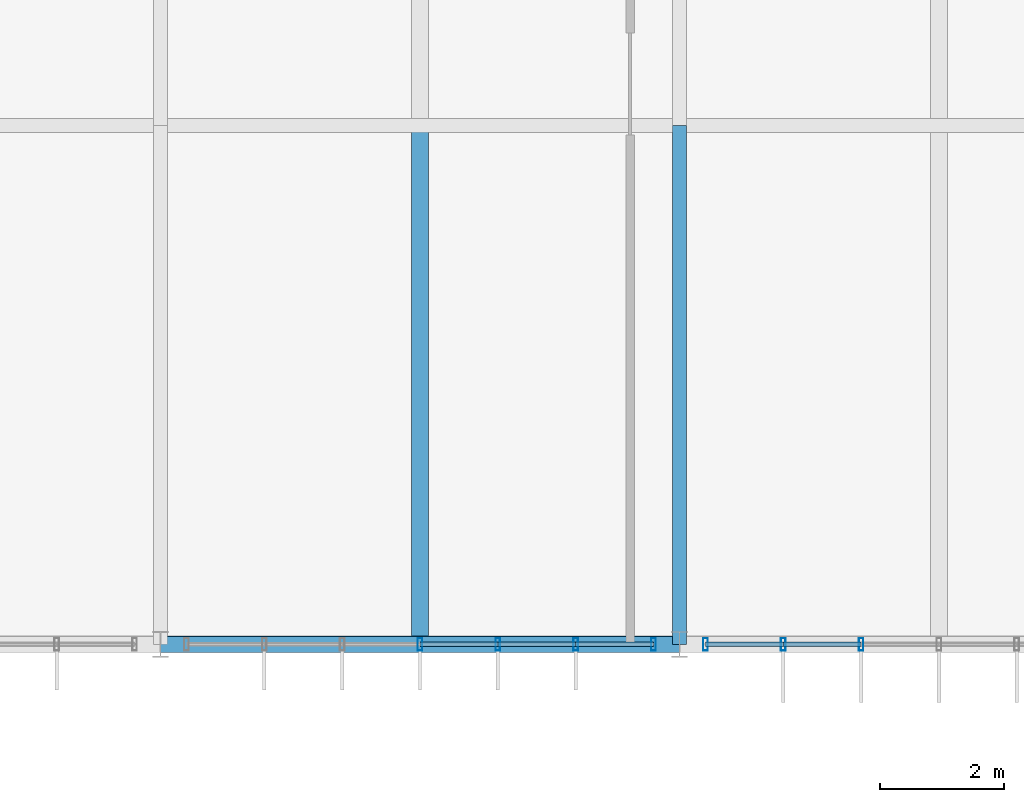
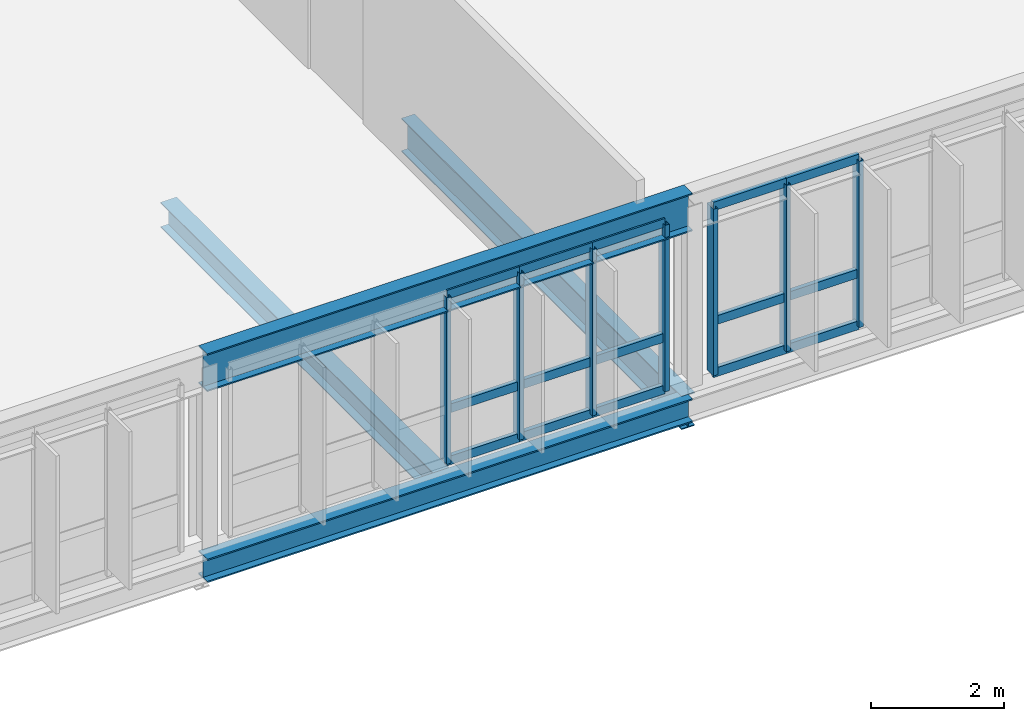
# One storey, part 15 of 107: 22 members, 4 beams, 2 elements without a shape of their own.
"""IFC4 building model written with IfcOpenShell, lengths in metres."""

from ifc_helpers import new_model, si_unit, derived_unit, direction, frame, origin, origin_2d, place, context, subcontext, project, spatial, hollow_rectangle, i_section, extrude, material, layer, layer_set, material_profile, profile_set, type_object, element, aggregate, save


model = new_model("IFC4")

# Units and contexts
model_context = context("Model", 3, precision=1e-05, world=origin(), true_north=direction((0.0, 1.0)))
body_context = subcontext(model_context, "Body", "Model", "MODEL_VIEW")
ifc_project = project(units=[si_unit("LENGTHUNIT", "METRE"), si_unit("AREAUNIT", "SQUARE_METRE"), si_unit("VOLUMEUNIT", "CUBIC_METRE"), si_unit("PLANEANGLEUNIT", "RADIAN"), si_unit("MASSUNIT", "GRAM", prefix="KILO"), derived_unit("THERMALTRANSMITTANCEUNIT", [(si_unit("MASSUNIT", "GRAM", prefix="KILO"), 1), (si_unit("TIMEUNIT", "SECOND"), -3), (si_unit("THERMODYNAMICTEMPERATUREUNIT", "KELVIN"), -1)])], contexts=[model_context])

# Site, building, storey
site_placement = place(None, origin())
site = spatial("IfcSite", under=ifc_project, at=site_placement, CompositionType="ELEMENT")
building_placement = place(site_placement, origin())
building = spatial("IfcBuilding", under=site, at=building_placement, Name="Makaiwela Harbour Ferry Terminal", CompositionType="ELEMENT")
storey_placement = place(building_placement, frame((0.0, 0.0, 9.60009765625)))
storey = spatial("IfcBuildingStorey", under=building, at=storey_placement, Name="L02", CompositionType="ELEMENT", Elevation=9.60009765625)

# Curtain wall, members
ifc_material_1 = material(Name="Marine anodised aluminium 6063-T6", Category="aluminium")
ifc_layer = layer(ifc_material_1, 0.199951171875)
ifc_layer_set = layer_set([ifc_layer], Name="Marine anodised aluminium 6063-T6")
curtain_wall_type = type_object("IfcCurtainWallType", Name="ENV-CW-11", PredefinedType="USERDEFINED", material=ifc_layer_set)
curtain_wall_1_placement = place(storey_placement, origin())
curtain_wall_1 = element("IfcCurtainWall", 1, at=curtain_wall_1_placement, inside=storey, type_object=curtain_wall_type, Name="Unitised Curtain Wall CWA-105", ObjectType="UNITIZED CURTAIN WALL", PredefinedType="USERDEFINED")
ifc_material_profile_1 = material_profile(ifc_material_1, hollow_rectangle(XDim=0.074951171875, YDim=0.199951171875, WallThickness=0.00390625, at=origin_2d()), Name="CWM-200X75")
ifc_profile_set_1 = profile_set([ifc_material_profile_1], Name="Marine anodised aluminium 6063-T6")
member_type_1 = type_object("IfcMemberType", Name="CW-MUL-200", PredefinedType="MULLION", material=ifc_profile_set_1)
member_1_placement = place(storey_placement, frame((54.179931640625, 25.199951171875, 0.0), z_axis=(0.0, 0.0, 1.0), x_axis=(1.0, 0.0, 0.0)))
member_1 = element("IfcMember", 2, at=member_1_placement, type_object=member_type_1, Name="Curtain Wall Mullion CWA-105-1", PredefinedType="MULLION", context=body_context, shape_type="SweptSolid", body=[
    extrude(hollow_rectangle(XDim=0.074951171875, YDim=0.199951171875, WallThickness=0.00390625, at=origin_2d()), origin(), (0.0, 0.0, 1.0), 3.0498046875),
])
member_2_placement = place(storey_placement, frame((52.919921875, 25.199951171875, 0.0), z_axis=(0.0, 0.0, 1.0), x_axis=(1.0, 0.0, 0.0)))
member_2 = element("IfcMember", 3, at=member_2_placement, type_object=member_type_1, Name="Curtain Wall Mullion CWA-105-2", PredefinedType="MULLION", context=body_context, shape_type="SweptSolid", body=[
    extrude(hollow_rectangle(XDim=0.074951171875, YDim=0.199951171875, WallThickness=0.00390625, at=origin_2d()), origin(), (0.0, 0.0, 1.0), 3.0498046875),
])
member_3_placement = place(storey_placement, frame((51.659912109375, 25.199951171875, 0.0), z_axis=(0.0, 0.0, 1.0), x_axis=(1.0, 0.0, 0.0)))
member_3 = element("IfcMember", 4, at=member_3_placement, type_object=member_type_1, Name="Curtain Wall Mullion CWA-105-3", PredefinedType="MULLION", context=body_context, shape_type="SweptSolid", body=[
    extrude(hollow_rectangle(XDim=0.074951171875, YDim=0.199951171875, WallThickness=0.00390625, at=origin_2d()), origin(), (0.0, 0.0, 1.0), 3.0498046875),
])
member_4_placement = place(storey_placement, frame((50.39990234375, 25.199951171875, 0.0), z_axis=(0.0, 0.0, 1.0), x_axis=(1.0, 0.0, 0.0)))
member_4 = element("IfcMember", 5, at=member_4_placement, type_object=member_type_1, Name="Curtain Wall Mullion CWA-105-4", PredefinedType="MULLION", context=body_context, shape_type="SweptSolid", body=[
    extrude(hollow_rectangle(XDim=0.074951171875, YDim=0.199951171875, WallThickness=0.00390625, at=origin_2d()), origin(), (0.0, 0.0, 1.0), 3.0498046875),
])

curtain_wall_2_placement = place(storey_placement, origin())
curtain_wall_2 = element("IfcCurtainWall", 6, at=curtain_wall_2_placement, inside=storey, type_object=curtain_wall_type, Name="Unitised Curtain Wall CWA-107", ObjectType="UNITIZED CURTAIN WALL", PredefinedType="USERDEFINED")
member_5_placement = place(storey_placement, frame((57.5400390625, 25.199951171875, 0.0), z_axis=(0.0, 0.0, 1.0), x_axis=(1.0, 0.0, 0.0)))
member_5 = element("IfcMember", 7, at=member_5_placement, type_object=member_type_1, Name="Curtain Wall Mullion CWA-107-5", PredefinedType="MULLION", context=body_context, shape_type="SweptSolid", body=[
    extrude(hollow_rectangle(XDim=0.074951171875, YDim=0.199951171875, WallThickness=0.00390625, at=origin_2d()), origin(), (0.0, 0.0, 1.0), 3.0498046875),
])
member_6_placement = place(storey_placement, frame((56.280029296875, 25.199951171875, 0.0), z_axis=(0.0, 0.0, 1.0), x_axis=(1.0, 0.0, 0.0)))
member_6 = element("IfcMember", 8, at=member_6_placement, type_object=member_type_1, Name="Curtain Wall Mullion CWA-107-6", PredefinedType="MULLION", context=body_context, shape_type="SweptSolid", body=[
    extrude(hollow_rectangle(XDim=0.074951171875, YDim=0.199951171875, WallThickness=0.00390625, at=origin_2d()), origin(), (0.0, 0.0, 1.0), 3.0498046875),
])
member_7_placement = place(storey_placement, frame((55.02001953125, 25.199951171875, 0.0), z_axis=(0.0, 0.0, 1.0), x_axis=(1.0, 0.0, 0.0)))
member_7 = element("IfcMember", 9, at=member_7_placement, type_object=member_type_1, Name="Curtain Wall Mullion CWA-107-7", PredefinedType="MULLION", context=body_context, shape_type="SweptSolid", body=[
    extrude(hollow_rectangle(XDim=0.074951171875, YDim=0.199951171875, WallThickness=0.00390625, at=origin_2d()), origin(), (0.0, 0.0, 1.0), 3.0498046875),
])

# Member
ifc_material_profile_2 = material_profile(ifc_material_1, hollow_rectangle(XDim=0.074951171875, YDim=0.159912109375, WallThickness=0.00390625, at=origin_2d()), Name="CWT-160X75")
ifc_profile_set_2 = profile_set([ifc_material_profile_2], Name="Marine anodised aluminium 6063-T6")
member_type_2 = type_object("IfcMemberType", Name="CW-TRN-160", PredefinedType="USERDEFINED", material=ifc_profile_set_2)
member_8_placement = place(storey_placement, frame((54.179931640625, 25.199951171875, 0.0), z_axis=(-1.0, 0.0, 0.0), x_axis=(0.0, -1.0, 0.0)))
member_8 = element("IfcMember", 10, at=member_8_placement, type_object=member_type_2, Name="Curtain Wall Transom CWA-105-1-1", ObjectType="TRANSOM", PredefinedType="USERDEFINED", context=body_context, shape_type="SweptSolid", body=[
    extrude(hollow_rectangle(XDim=0.074951171875, YDim=0.159912109375, WallThickness=0.00390625, at=origin_2d()), origin(), (0.0, 0.0, 1.0), 1.260009765625),
])

member_9_placement = place(storey_placement, frame((54.179931640625, 25.199951171875, 0.949951171875), z_axis=(-1.0, 0.0, 0.0), x_axis=(0.0, -1.0, 0.0)))
member_9 = element("IfcMember", 11, at=member_9_placement, type_object=member_type_2, Name="Curtain Wall Transom CWA-105-1-2", ObjectType="TRANSOM", PredefinedType="USERDEFINED", context=body_context, shape_type="SweptSolid", body=[
    extrude(hollow_rectangle(XDim=0.074951171875, YDim=0.159912109375, WallThickness=0.00390625, at=origin_2d()), origin(), (0.0, 0.0, 1.0), 1.260009765625),
])

member_10_placement = place(storey_placement, frame((54.179931640625, 25.199951171875, 3.0498046875), z_axis=(-1.0, 0.0, 0.0), x_axis=(0.0, -1.0, 0.0)))
member_10 = element("IfcMember", 12, at=member_10_placement, type_object=member_type_2, Name="Curtain Wall Transom CWA-105-1-3", ObjectType="TRANSOM", PredefinedType="USERDEFINED", context=body_context, shape_type="SweptSolid", body=[
    extrude(hollow_rectangle(XDim=0.074951171875, YDim=0.159912109375, WallThickness=0.00390625, at=origin_2d()), origin(), (0.0, 0.0, 1.0), 1.260009765625),
])

member_11_placement = place(storey_placement, frame((52.919921875, 25.199951171875, 0.0), z_axis=(-1.0, 0.0, 0.0), x_axis=(0.0, -1.0, 0.0)))
member_11 = element("IfcMember", 13, at=member_11_placement, type_object=member_type_2, Name="Curtain Wall Transom CWA-105-2-1", ObjectType="TRANSOM", PredefinedType="USERDEFINED", context=body_context, shape_type="SweptSolid", body=[
    extrude(hollow_rectangle(XDim=0.074951171875, YDim=0.159912109375, WallThickness=0.00390625, at=origin_2d()), origin(), (0.0, 0.0, 1.0), 1.260009765625),
])

member_12_placement = place(storey_placement, frame((52.919921875, 25.199951171875, 0.949951171875), z_axis=(-1.0, 0.0, 0.0), x_axis=(0.0, -1.0, 0.0)))
member_12 = element("IfcMember", 14, at=member_12_placement, type_object=member_type_2, Name="Curtain Wall Transom CWA-105-2-2", ObjectType="TRANSOM", PredefinedType="USERDEFINED", context=body_context, shape_type="SweptSolid", body=[
    extrude(hollow_rectangle(XDim=0.074951171875, YDim=0.159912109375, WallThickness=0.00390625, at=origin_2d()), origin(), (0.0, 0.0, 1.0), 1.260009765625),
])

member_13_placement = place(storey_placement, frame((52.919921875, 25.199951171875, 3.0498046875), z_axis=(-1.0, 0.0, 0.0), x_axis=(0.0, -1.0, 0.0)))
member_13 = element("IfcMember", 15, at=member_13_placement, type_object=member_type_2, Name="Curtain Wall Transom CWA-105-2-3", ObjectType="TRANSOM", PredefinedType="USERDEFINED", context=body_context, shape_type="SweptSolid", body=[
    extrude(hollow_rectangle(XDim=0.074951171875, YDim=0.159912109375, WallThickness=0.00390625, at=origin_2d()), origin(), (0.0, 0.0, 1.0), 1.260009765625),
])

member_14_placement = place(storey_placement, frame((51.659912109375, 25.199951171875, 0.0), z_axis=(-1.0, 0.0, 0.0), x_axis=(0.0, -1.0, 0.0)))
member_14 = element("IfcMember", 16, at=member_14_placement, type_object=member_type_2, Name="Curtain Wall Transom CWA-105-3-1", ObjectType="TRANSOM", PredefinedType="USERDEFINED", context=body_context, shape_type="SweptSolid", body=[
    extrude(hollow_rectangle(XDim=0.074951171875, YDim=0.159912109375, WallThickness=0.00390625, at=origin_2d()), origin(), (0.0, 0.0, 1.0), 1.260009765625),
])

member_15_placement = place(storey_placement, frame((51.659912109375, 25.199951171875, 0.949951171875), z_axis=(-1.0, 0.0, 0.0), x_axis=(0.0, -1.0, 0.0)))
member_15 = element("IfcMember", 17, at=member_15_placement, type_object=member_type_2, Name="Curtain Wall Transom CWA-105-3-2", ObjectType="TRANSOM", PredefinedType="USERDEFINED", context=body_context, shape_type="SweptSolid", body=[
    extrude(hollow_rectangle(XDim=0.074951171875, YDim=0.159912109375, WallThickness=0.00390625, at=origin_2d()), origin(), (0.0, 0.0, 1.0), 1.260009765625),
])

member_16_placement = place(storey_placement, frame((51.659912109375, 25.199951171875, 3.0498046875), z_axis=(-1.0, 0.0, 0.0), x_axis=(0.0, -1.0, 0.0)))
member_16 = element("IfcMember", 18, at=member_16_placement, type_object=member_type_2, Name="Curtain Wall Transom CWA-105-3-3", ObjectType="TRANSOM", PredefinedType="USERDEFINED", context=body_context, shape_type="SweptSolid", body=[
    extrude(hollow_rectangle(XDim=0.074951171875, YDim=0.159912109375, WallThickness=0.00390625, at=origin_2d()), origin(), (0.0, 0.0, 1.0), 1.260009765625),
])

aggregate(curtain_wall_1, [member_1, member_2, member_3, member_4, member_8, member_9, member_10, member_11, member_12, member_13, member_14, member_15, member_16])

member_17_placement = place(storey_placement, frame((57.5400390625, 25.199951171875, 0.0), z_axis=(-1.0, 0.0, 0.0), x_axis=(0.0, -1.0, 0.0)))
member_17 = element("IfcMember", 19, at=member_17_placement, type_object=member_type_2, Name="Curtain Wall Transom CWA-107-5-1", ObjectType="TRANSOM", PredefinedType="USERDEFINED", context=body_context, shape_type="SweptSolid", body=[
    extrude(hollow_rectangle(XDim=0.074951171875, YDim=0.159912109375, WallThickness=0.00390625, at=origin_2d()), origin(), (0.0, 0.0, 1.0), 1.260009765625),
])

member_18_placement = place(storey_placement, frame((57.5400390625, 25.199951171875, 0.949951171875), z_axis=(-1.0, 0.0, 0.0), x_axis=(0.0, -1.0, 0.0)))
member_18 = element("IfcMember", 20, at=member_18_placement, type_object=member_type_2, Name="Curtain Wall Transom CWA-107-5-2", ObjectType="TRANSOM", PredefinedType="USERDEFINED", context=body_context, shape_type="SweptSolid", body=[
    extrude(hollow_rectangle(XDim=0.074951171875, YDim=0.159912109375, WallThickness=0.00390625, at=origin_2d()), origin(), (0.0, 0.0, 1.0), 1.260009765625),
])

member_19_placement = place(storey_placement, frame((57.5400390625, 25.199951171875, 3.0498046875), z_axis=(-1.0, 0.0, 0.0), x_axis=(0.0, -1.0, 0.0)))
member_19 = element("IfcMember", 21, at=member_19_placement, type_object=member_type_2, Name="Curtain Wall Transom CWA-107-5-3", ObjectType="TRANSOM", PredefinedType="USERDEFINED", context=body_context, shape_type="SweptSolid", body=[
    extrude(hollow_rectangle(XDim=0.074951171875, YDim=0.159912109375, WallThickness=0.00390625, at=origin_2d()), origin(), (0.0, 0.0, 1.0), 1.260009765625),
])

member_20_placement = place(storey_placement, frame((56.280029296875, 25.199951171875, 0.0), z_axis=(-1.0, 0.0, 0.0), x_axis=(0.0, -1.0, 0.0)))
member_20 = element("IfcMember", 22, at=member_20_placement, type_object=member_type_2, Name="Curtain Wall Transom CWA-107-6-1", ObjectType="TRANSOM", PredefinedType="USERDEFINED", context=body_context, shape_type="SweptSolid", body=[
    extrude(hollow_rectangle(XDim=0.074951171875, YDim=0.159912109375, WallThickness=0.00390625, at=origin_2d()), origin(), (0.0, 0.0, 1.0), 1.260009765625),
])

member_21_placement = place(storey_placement, frame((56.280029296875, 25.199951171875, 0.949951171875), z_axis=(-1.0, 0.0, 0.0), x_axis=(0.0, -1.0, 0.0)))
member_21 = element("IfcMember", 23, at=member_21_placement, type_object=member_type_2, Name="Curtain Wall Transom CWA-107-6-2", ObjectType="TRANSOM", PredefinedType="USERDEFINED", context=body_context, shape_type="SweptSolid", body=[
    extrude(hollow_rectangle(XDim=0.074951171875, YDim=0.159912109375, WallThickness=0.00390625, at=origin_2d()), origin(), (0.0, 0.0, 1.0), 1.260009765625),
])

member_22_placement = place(storey_placement, frame((56.280029296875, 25.199951171875, 3.0498046875), z_axis=(-1.0, 0.0, 0.0), x_axis=(0.0, -1.0, 0.0)))
member_22 = element("IfcMember", 24, at=member_22_placement, type_object=member_type_2, Name="Curtain Wall Transom CWA-107-6-3", ObjectType="TRANSOM", PredefinedType="USERDEFINED", context=body_context, shape_type="SweptSolid", body=[
    extrude(hollow_rectangle(XDim=0.074951171875, YDim=0.159912109375, WallThickness=0.00390625, at=origin_2d()), origin(), (0.0, 0.0, 1.0), 1.260009765625),
])

aggregate(curtain_wall_2, [member_5, member_6, member_7, member_17, member_18, member_19, member_20, member_21, member_22])

# Beams
ifc_material_2 = material(Name="Steel ASTM A992 Grade 50", Category="steel")
ifc_material_profile_3 = material_profile(ifc_material_2, i_section(OverallWidth=0.280029296875, OverallDepth=0.462890625, WebThickness=0.0107421875, FlangeThickness=0.017333984375, at=origin_2d()), Name="W18X76")
ifc_profile_set_3 = profile_set([ifc_material_profile_3], Name="Steel ASTM A992 Grade 50")
beam_type_1 = type_object("IfcBeamType", Name="STR-BM-W18X76", PredefinedType="BEAM", material=ifc_profile_set_3)
beam_1_placement = place(storey_placement, frame((50.39990234375, 25.314453125, -0.49169921875), z_axis=(0.0, 1.0, 0.0), x_axis=(-1.0, 0.0, 0.0)))
element("IfcBeam", 25, at=beam_1_placement, inside=storey, type_object=beam_type_1, Name="Secondary floor beam 1461", PredefinedType="BEAM", context=body_context, shape_type="SweptSolid", body=[
    extrude(i_section(OverallWidth=0.280029296875, OverallDepth=0.462890625, WebThickness=0.0107421875, FlangeThickness=0.017333984375, at=origin_2d()), origin(), (0.0, 0.0, 1.0), 8.18896484375),
])
ifc_material_profile_4 = material_profile(ifc_material_2, i_section(OverallWidth=0.22900390625, OverallDepth=0.612060546875, WebThickness=0.011962890625, FlangeThickness=0.01953125, at=origin_2d()), Name="W24X84")
ifc_profile_set_4 = profile_set([ifc_material_profile_4], Name="Steel ASTM A992 Grade 50")
beam_type_2 = type_object("IfcBeamType", Name="STR-GRD-W24X84", PredefinedType="USERDEFINED", material=ifc_profile_set_4)
beam_2_placement = place(storey_placement, frame((54.60009765625, 25.199951171875, -0.566162109375), z_axis=(0.0, 1.0, 0.0), x_axis=(-1.0, 0.0, 0.0)))
element("IfcBeam", 26, at=beam_2_placement, inside=storey, type_object=beam_type_2, Name="Primary Y girder 1355", ObjectType="GIRDER", PredefinedType="USERDEFINED", context=body_context, shape_type="SweptSolid", body=[
    extrude(i_section(OverallWidth=0.22900390625, OverallDepth=0.612060546875, WebThickness=0.011962890625, FlangeThickness=0.01953125, at=origin_2d()), origin(), (0.0, 0.0, 1.0), 8.400146484375),
])
ifc_material_profile_5 = material_profile(ifc_material_2, i_section(OverallWidth=0.256103515625, OverallDepth=0.693115234375, WebThickness=0.014404296875, FlangeThickness=0.023681640625, at=origin_2d()), Name="W27X114")
ifc_profile_set_5 = profile_set([ifc_material_profile_5], Name="Steel ASTM A992 Grade 50")
beam_type_3 = type_object("IfcBeamType", Name="STR-GRD-W27X114", PredefinedType="USERDEFINED", material=ifc_profile_set_5)
beam_3_placement = place(storey_placement, frame((46.199951171875, 25.199951171875, 3.14990234375), z_axis=(1.0, 0.0, 0.0), x_axis=(0.0, 1.0, 0.0)))
element("IfcBeam", 27, at=beam_3_placement, inside=storey, type_object=beam_type_3, Name="Arrivals vault springing tie girder D-3", ObjectType="GIRDER", PredefinedType="USERDEFINED", context=body_context, shape_type="SweptSolid", body=[
    extrude(i_section(OverallWidth=0.256103515625, OverallDepth=0.693115234375, WebThickness=0.014404296875, FlangeThickness=0.023681640625, at=origin_2d()), origin(), (0.0, 0.0, 1.0), 8.400146484375),
])
ifc_material_profile_6 = material_profile(ifc_material_2, i_section(OverallWidth=0.264892578125, OverallDepth=0.430908203125, WebThickness=0.014892578125, FlangeThickness=0.02490234375, at=origin_2d()), Name="W16X100")
ifc_profile_set_6 = profile_set([ifc_material_profile_6], Name="Steel ASTM A992 Grade 50")
beam_type_4 = type_object("IfcBeamType", Name="STR-SPN-W16X100", PredefinedType="SPANDREL", material=ifc_profile_set_6)
beam_4_placement = place(storey_placement, frame((46.199951171875, 25.199951171875, -0.4755859375), z_axis=(1.0, 0.0, 0.0), x_axis=(0.0, 1.0, 0.0)))
element("IfcBeam", 28, at=beam_4_placement, inside=storey, type_object=beam_type_4, Name="Primary X girder 1225", PredefinedType="SPANDREL", context=body_context, shape_type="SweptSolid", body=[
    extrude(i_section(OverallWidth=0.264892578125, OverallDepth=0.430908203125, WebThickness=0.014892578125, FlangeThickness=0.02490234375, at=origin_2d()), origin(), (0.0, 0.0, 1.0), 8.400146484375),
])

save(model, "model.ifc")
